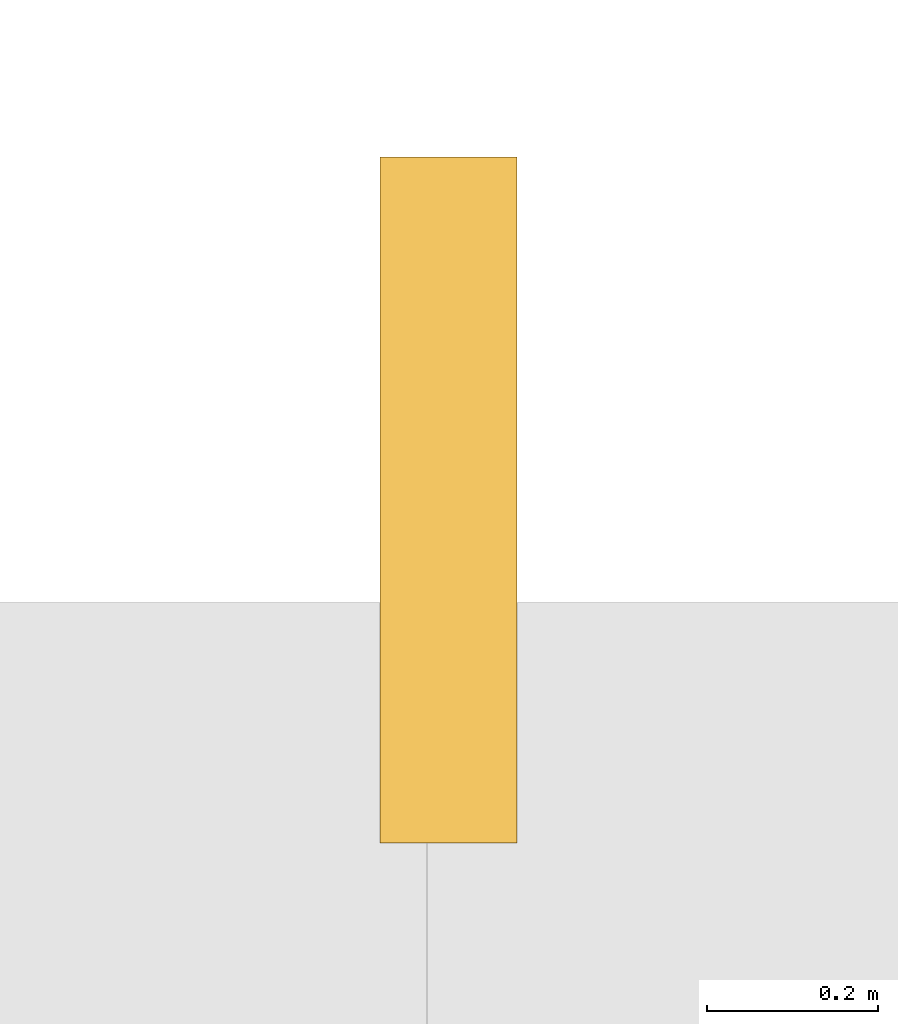
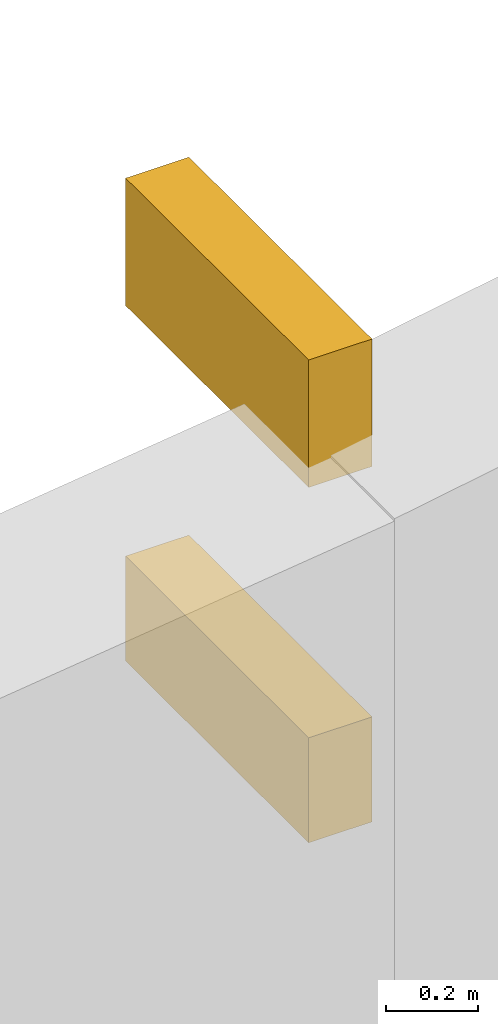
# One storey, part 29 of 29: 2 coverings.
"""IFC4 building model written with IfcOpenShell, lengths in metres."""

from ifc_helpers import new_model, si_unit, direction, frame, frame_2d, origin, place, context, subcontext, project, spatial, rectangle, extrude, material, layer, layer_set, type_object, element, save


model = new_model("IFC4")

# Units and contexts
model_context = context("Model", 3, precision=1e-05, world=origin(), true_north=direction((0.0, 1.0)))
body_context = subcontext(model_context, "Body", "Model", "MODEL_VIEW")
ifc_project = project(units=[si_unit("LENGTHUNIT", "METRE"), si_unit("AREAUNIT", "SQUARE_METRE"), si_unit("VOLUMEUNIT", "CUBIC_METRE"), si_unit("PLANEANGLEUNIT", "RADIAN"), si_unit("MASSUNIT", "GRAM", prefix="KILO")], contexts=[model_context])

# Site, building, storey
site_placement = place(None, origin())
site = spatial("IfcSite", under=ifc_project, at=site_placement, CompositionType="ELEMENT")
building_placement = place(site_placement, origin())
building = spatial("IfcBuilding", under=site, at=building_placement, Name="Keelwater Ferry Terminal", CompositionType="ELEMENT")
storey_placement = place(building_placement, frame((0.0, 0.0, 27.89990234375)))
storey = spatial("IfcBuildingStorey", under=building, at=storey_placement, Name="RF", CompositionType="ELEMENT", Elevation=27.89990234375)

# Coverings
ifc_material = material(Name="Matte white architectural aluminium fascia ribbon", Category="aluminium")
ifc_layer = layer(ifc_material, 0.1201171875)
ifc_layer_set = layer_set([ifc_layer], Name="Matte white architectural aluminium fascia ribbon")
covering_type = type_object("IfcCoveringType", Name="RB-WHT Matte White Fascia Ribbon", PredefinedType="CLADDING", material=ifc_layer_set)
covering_1_placement = place(storey_placement, frame((144.0, 41.449951171875, -14.06787109375), z_axis=(0.0, 0.0, 1.0), x_axis=(0.0, 1.0, 0.0)))
element("IfcCovering", 1, at=covering_1_placement, inside=storey, type_object=covering_type, Name="Ribbon Horizontal Tie Bracket 572", PredefinedType="CLADDING", context=body_context, shape_type="SweptSolid", body=[
    extrude(rectangle(XDim=0.800048828125, YDim=0.159912109375, at=frame_2d((0.39990234375, 0.0))), origin(), (0.0, 0.0, 1.0), 0.280029296875),
])
covering_2_placement = place(storey_placement, frame((144.0, 41.449951171875, -13.119873046875), z_axis=(0.0, 0.0, 1.0), x_axis=(0.0, 1.0, 0.0)))
element("IfcCovering", 2, at=covering_2_placement, inside=storey, type_object=covering_type, Name="Ribbon Roof Eave Tie Bracket 574", PredefinedType="CLADDING", context=body_context, shape_type="SweptSolid", body=[
    extrude(rectangle(XDim=0.800048828125, YDim=0.159912109375, at=frame_2d((0.39990234375, 0.0))), origin(), (0.0, 0.0, 1.0), 0.340087890625),
])

save(model, "model.ifc")
